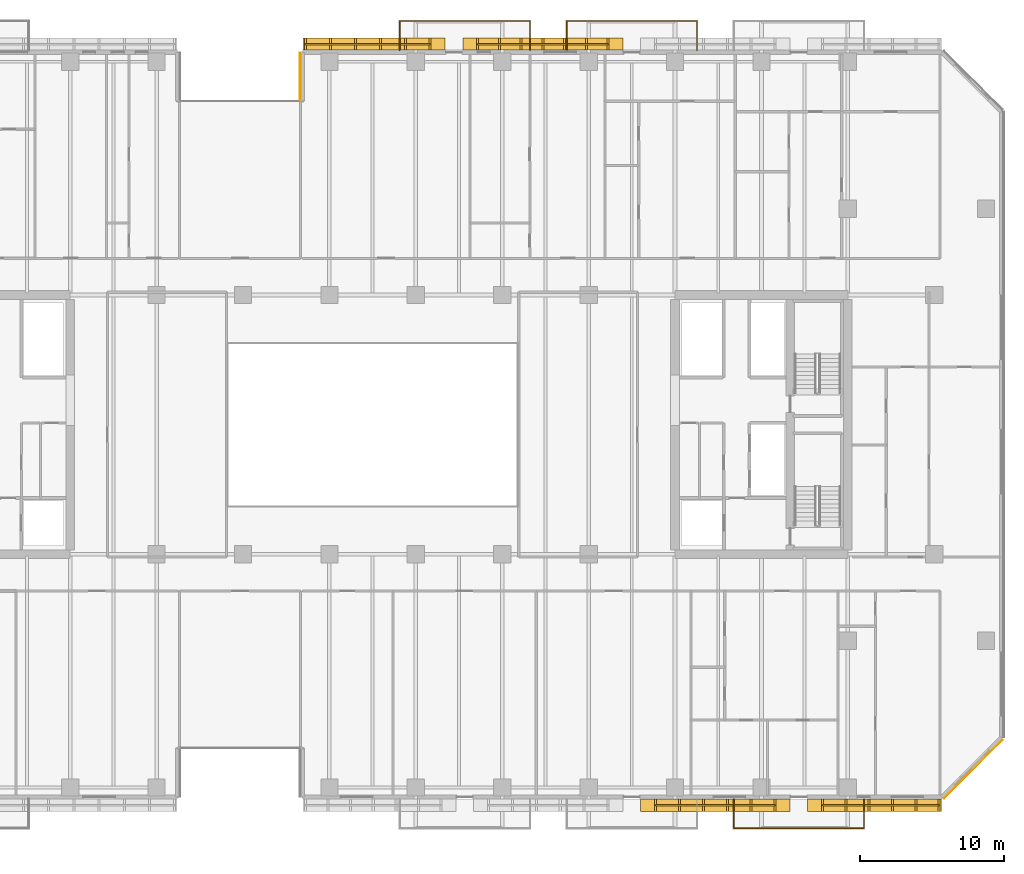
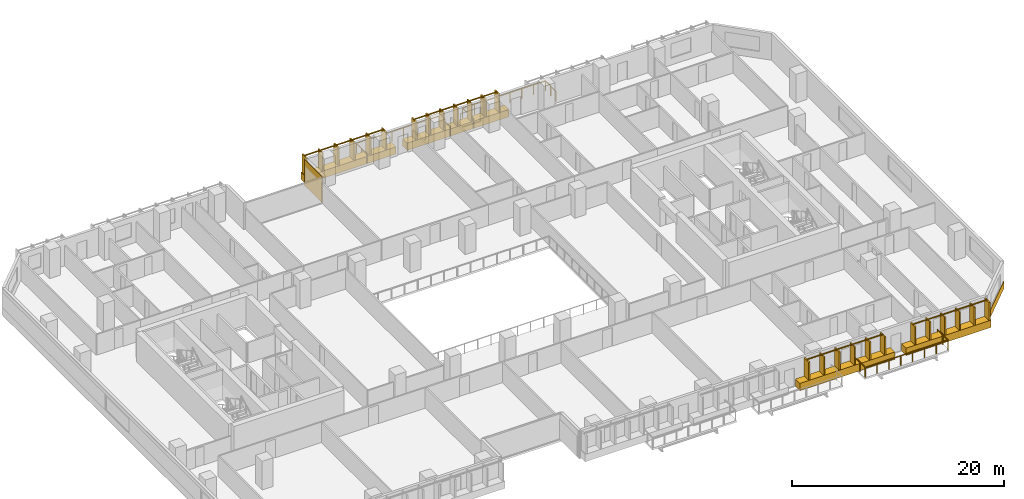
# One storey, part 22 of 25: 7 railings, 6 coverings.
"""IFC4 building model written with IfcOpenShell, lengths in metres."""

from ifc_helpers import new_model, si_unit, direction, frame, origin, origin_2d, place, context, subcontext, project, spatial, rectangle, extrude, material, layer, layer_set, type_object, element, save


model = new_model("IFC4")

# Units and contexts
model_context = context("Model", 3, precision=1e-05, world=origin(), true_north=direction((0.0, 1.0)))
body_context = subcontext(model_context, "Body", "Model", "MODEL_VIEW")
ifc_project = project(units=[si_unit("LENGTHUNIT", "METRE"), si_unit("AREAUNIT", "SQUARE_METRE"), si_unit("VOLUMEUNIT", "CUBIC_METRE"), si_unit("PLANEANGLEUNIT", "RADIAN"), si_unit("MASSUNIT", "GRAM", prefix="KILO")], contexts=[model_context])

# Site, building, storey
site_placement = place(None, origin())
site = spatial("IfcSite", under=ifc_project, at=site_placement, CompositionType="ELEMENT")
building_placement = place(site_placement, origin())
building = spatial("IfcBuilding", under=site, at=building_placement, Name="Tanjung Sevakor Pilgrim Tower", CompositionType="ELEMENT")
storey_placement = place(building_placement, frame((0.0, 0.0, 42.239990234375)))
storey = spatial("IfcBuildingStorey", under=building, at=storey_placement, Name="L11", CompositionType="ELEMENT", Elevation=42.239990234375)

# Coverings
ifc_material_1 = material(Name="Reconstructed Limestone Cladding", Category="masonry")
ifc_layer = layer(ifc_material_1, 0.044921875)
ifc_layer_set = layer_set([ifc_layer], Name="COV-CLAD-LIMESTONE")
covering_type = type_object("IfcCoveringType", Name="COV-CLAD-LIMESTONE", PredefinedType="CLADDING", material=ifc_layer_set)
covering_1_placement = place(storey_placement, frame((80.800048828125, 7.169921875, 0.009765625), z_axis=(0.0, 0.0, 1.0), x_axis=(1.0, 0.0, 0.0)))
element("IfcCovering", 1, at=covering_1_placement, inside=storey, type_object=covering_type, Name="L11 Warm Limestone Sill Spandrel EW-L11-MAIN-5-3", PredefinedType="CLADDING", context=body_context, shape_type="SweptSolid", body=[
    extrude(rectangle(XDim=10.3798828125, YDim=0.860107421875, at=origin_2d()), origin(), (0.0, 0.0, 1.0), 0.840087890625),
])
covering_2_placement = place(storey_placement, frame((91.85595703125, 7.169921875, 0.009765625), z_axis=(0.0, 0.0, 1.0), x_axis=(1.0, 0.0, 0.0)))
element("IfcCovering", 2, at=covering_2_placement, inside=storey, type_object=covering_type, Name="L11 Warm Limestone Sill Spandrel EW-L11-MAIN-5-4", PredefinedType="CLADDING", context=body_context, shape_type="SweptSolid", body=[
    extrude(rectangle(XDim=9.2919921875, YDim=0.860107421875, at=origin_2d()), origin(), (0.0, 0.0, 1.0), 0.840087890625),
])
covering_3_placement = place(storey_placement, frame((98.7158203125, 9.68408203125, 0.009765625), z_axis=(0.0, 0.0, 1.0), x_axis=(0.707106781187, 0.707106781187, 0.0)))
element("IfcCovering", 3, at=covering_3_placement, inside=storey, type_object=covering_type, Name="L11 Warm Limestone Sill Spandrel EW-CHM-L11-MAIN-5-1", PredefinedType="CLADDING", context=body_context, shape_type="SweptSolid", body=[
    extrude(rectangle(XDim=5.74365234375, YDim=0.044921875, at=origin_2d()), origin(), (0.0, 0.0, 1.0), 0.840087890625),
])
covering_4_placement = place(storey_placement, frame((68.824951171875, 60.030029296875, 0.009765625), z_axis=(0.0, 0.0, 1.0), x_axis=(-1.0, 0.0, 0.0)))
element("IfcCovering", 4, at=covering_4_placement, inside=storey, type_object=covering_type, Name="L11 Warm Limestone Sill Spandrel EW-L11-MAIN-9-3", PredefinedType="CLADDING", context=body_context, shape_type="SweptSolid", body=[
    extrude(rectangle(XDim=11.1298828125, YDim=0.860107421875, at=origin_2d()), origin(), (0.0, 0.0, 1.0), 0.840087890625),
])
covering_5_placement = place(storey_placement, frame((57.110107421875, 60.030029296875, 0.009765625), z_axis=(0.0, 0.0, 1.0), x_axis=(-1.0, 0.0, 0.0)))
element("IfcCovering", 5, at=covering_5_placement, inside=storey, type_object=covering_type, Name="L11 Warm Limestone Sill Spandrel EW-L11-MAIN-9-4", PredefinedType="CLADDING", context=body_context, shape_type="SweptSolid", body=[
    extrude(rectangle(XDim=9.860107421875, YDim=0.860107421875, at=origin_2d()), origin(), (0.0, 0.0, 1.0), 0.840087890625),
])
covering_6_placement = place(storey_placement, frame((51.9775390625, 57.760009765625, 0.02001953125), z_axis=(0.0, 0.0, 1.0), x_axis=(0.0, -1.0, 0.0)))
element("IfcCovering", 6, at=covering_6_placement, inside=storey, type_object=covering_type, Name="L11 Warm Limestone Wall Cladding EW-L11-MAIN-10", PredefinedType="CLADDING", context=body_context, shape_type="SweptSolid", body=[
    extrude(rectangle(XDim=3.360107421875, YDim=0.044921875, at=origin_2d()), origin(), (0.0, 0.0, 1.0), 3.0400390625),
])

# Railings
ifc_material_2 = material(Name="Laminated Glass and Aluminium", Category="aluminium")
railing_type_1 = type_object("IfcRailingType", Name="RL-BAL-BALUST", PredefinedType="BALUSTRADE", material=ifc_material_2)
railing_1_placement = place(storey_placement, frame((58.8798828125, 59.60009765625, 0.0)))
element("IfcRailing", 7, at=railing_1_placement, inside=storey, type_object=railing_type_1, Name="L11 Loggia Balustrade MAIN-N2", PredefinedType="BALUSTRADE", context=body_context, shape_type="SweptSolid", body=[
    extrude(rectangle(XDim=0.0479, YDim=0.0479), frame((0.0, 0.0, 1.1259765625), z_axis=(0.0, 1.0, 0.0), x_axis=(-1.0, 0.0, 0.0)), (0.0, 0.0, 1.0), 2.02001953125),
    extrude(rectangle(XDim=0.0479, YDim=0.0479), frame((0.0, 2.02001953125, 1.1259765625), z_axis=(1.0, 0.0, 0.0), x_axis=(0.0, 1.0, 0.0)), (0.0, 0.0, 1.0), 9.0400390625),
    extrude(rectangle(XDim=0.0479, YDim=0.0479), frame((9.0400390625, 2.02001953125, 1.1259765625), z_axis=(0.0, -1.0, 0.0), x_axis=(1.0, 0.0, 0.0)), (0.0, 0.0, 1.0), 2.02001953125),
    extrude(rectangle(XDim=0.042, YDim=0.042), origin(), (0.0, 0.0, 1.0), 1.101806640625),
    extrude(rectangle(XDim=0.042, YDim=0.042), frame((0.0, 1.010009765625, 0.0)), (0.0, 0.0, 1.0), 1.101806640625),
    extrude(rectangle(XDim=0.042, YDim=0.042), frame((0.0, 2.02001953125, 0.0)), (0.0, 0.0, 1.0), 1.101806640625),
    extrude(rectangle(XDim=0.042, YDim=0.042), frame((1.29150390625, 2.02001953125, 0.0)), (0.0, 0.0, 1.0), 1.101806640625),
    extrude(rectangle(XDim=0.042, YDim=0.042), frame((2.582763671875, 2.02001953125, 0.0)), (0.0, 0.0, 1.0), 1.101806640625),
    extrude(rectangle(XDim=0.042, YDim=0.042), frame((3.874267578125, 2.02001953125, 0.0)), (0.0, 0.0, 1.0), 1.101806640625),
    extrude(rectangle(XDim=0.042, YDim=0.042), frame((5.165771484375, 2.02001953125, 0.0)), (0.0, 0.0, 1.0), 1.101806640625),
    extrude(rectangle(XDim=0.042, YDim=0.042), frame((6.457275390625, 2.02001953125, 0.0)), (0.0, 0.0, 1.0), 1.101806640625),
    extrude(rectangle(XDim=0.042, YDim=0.042), frame((7.74853515625, 2.02001953125, 0.0)), (0.0, 0.0, 1.0), 1.101806640625),
    extrude(rectangle(XDim=0.042, YDim=0.042), frame((9.0400390625, 2.02001953125, 0.0)), (0.0, 0.0, 1.0), 1.101806640625),
    extrude(rectangle(XDim=0.042, YDim=0.042), frame((9.0400390625, 1.010009765625, 0.0)), (0.0, 0.0, 1.0), 1.101806640625),
    extrude(rectangle(XDim=0.042, YDim=0.042), frame((9.0400390625, 0.0, 0.0)), (0.0, 0.0, 1.0), 1.101806640625),
])
railing_2_placement = place(storey_placement, frame((70.47998046875, 59.60009765625, 0.0)))
element("IfcRailing", 8, at=railing_2_placement, inside=storey, type_object=railing_type_1, Name="L11 Loggia Balustrade MAIN-N3", PredefinedType="BALUSTRADE", context=body_context, shape_type="SweptSolid", body=[
    extrude(rectangle(XDim=0.0479, YDim=0.0479), frame((0.0, 0.0, 1.1259765625), z_axis=(0.0, 1.0, 0.0), x_axis=(-1.0, 0.0, 0.0)), (0.0, 0.0, 1.0), 2.02001953125),
    extrude(rectangle(XDim=0.0479, YDim=0.0479), frame((0.0, 2.02001953125, 1.1259765625), z_axis=(1.0, 0.0, 0.0), x_axis=(0.0, 1.0, 0.0)), (0.0, 0.0, 1.0), 9.0400390625),
    extrude(rectangle(XDim=0.0479, YDim=0.0479), frame((9.0400390625, 2.02001953125, 1.1259765625), z_axis=(0.0, -1.0, 0.0), x_axis=(1.0, 0.0, 0.0)), (0.0, 0.0, 1.0), 2.02001953125),
    extrude(rectangle(XDim=0.042, YDim=0.042), origin(), (0.0, 0.0, 1.0), 1.101806640625),
    extrude(rectangle(XDim=0.042, YDim=0.042), frame((0.0, 1.010009765625, 0.0)), (0.0, 0.0, 1.0), 1.101806640625),
    extrude(rectangle(XDim=0.042, YDim=0.042), frame((0.0, 2.02001953125, 0.0)), (0.0, 0.0, 1.0), 1.101806640625),
    extrude(rectangle(XDim=0.042, YDim=0.042), frame((1.29150390625, 2.02001953125, 0.0)), (0.0, 0.0, 1.0), 1.101806640625),
    extrude(rectangle(XDim=0.042, YDim=0.042), frame((2.582763671875, 2.02001953125, 0.0)), (0.0, 0.0, 1.0), 1.101806640625),
    extrude(rectangle(XDim=0.042, YDim=0.042), frame((3.874267578125, 2.02001953125, 0.0)), (0.0, 0.0, 1.0), 1.101806640625),
    extrude(rectangle(XDim=0.042, YDim=0.042), frame((5.165771484375, 2.02001953125, 0.0)), (0.0, 0.0, 1.0), 1.101806640625),
    extrude(rectangle(XDim=0.042, YDim=0.042), frame((6.457275390625, 2.02001953125, 0.0)), (0.0, 0.0, 1.0), 1.101806640625),
    extrude(rectangle(XDim=0.042, YDim=0.042), frame((7.74853515625, 2.02001953125, 0.0)), (0.0, 0.0, 1.0), 1.101806640625),
    extrude(rectangle(XDim=0.042, YDim=0.042), frame((9.0400390625, 2.02001953125, 0.0)), (0.0, 0.0, 1.0), 1.101806640625),
    extrude(rectangle(XDim=0.042, YDim=0.042), frame((9.0400390625, 1.010009765625, 0.0)), (0.0, 0.0, 1.0), 1.101806640625),
    extrude(rectangle(XDim=0.042, YDim=0.042), frame((9.0400390625, 0.0, 0.0)), (0.0, 0.0, 1.0), 1.101806640625),
])
railing_3_placement = place(storey_placement, frame((82.080078125, 7.60009765625, 0.0)))
element("IfcRailing", 9, at=railing_3_placement, inside=storey, type_object=railing_type_1, Name="L11 Loggia Balustrade MAIN-S4", PredefinedType="BALUSTRADE", context=body_context, shape_type="SweptSolid", body=[
    extrude(rectangle(XDim=0.0479, YDim=0.0479), frame((0.0, 0.0, 1.1259765625), z_axis=(0.0, -1.0, 0.0), x_axis=(1.0, 0.0, 0.0)), (0.0, 0.0, 1.0), 2.02001953125),
    extrude(rectangle(XDim=0.0479, YDim=0.0479), frame((0.0, -2.02001953125, 1.1259765625), z_axis=(1.0, 0.0, 0.0), x_axis=(0.0, 1.0, 0.0)), (0.0, 0.0, 1.0), 9.0400390625),
    extrude(rectangle(XDim=0.0479, YDim=0.0479), frame((9.0400390625, -2.02001953125, 1.1259765625), z_axis=(0.0, 1.0, 0.0), x_axis=(-1.0, 0.0, 0.0)), (0.0, 0.0, 1.0), 2.02001953125),
    extrude(rectangle(XDim=0.042, YDim=0.042), origin(), (0.0, 0.0, 1.0), 1.101806640625),
    extrude(rectangle(XDim=0.042, YDim=0.042), frame((0.0, -1.010009765625, 0.0)), (0.0, 0.0, 1.0), 1.101806640625),
    extrude(rectangle(XDim=0.042, YDim=0.042), frame((0.0, -2.02001953125, 0.0)), (0.0, 0.0, 1.0), 1.101806640625),
    extrude(rectangle(XDim=0.042, YDim=0.042), frame((1.29150390625, -2.02001953125, 0.0)), (0.0, 0.0, 1.0), 1.101806640625),
    extrude(rectangle(XDim=0.042, YDim=0.042), frame((2.582763671875, -2.02001953125, 0.0)), (0.0, 0.0, 1.0), 1.101806640625),
    extrude(rectangle(XDim=0.042, YDim=0.042), frame((3.874267578125, -2.02001953125, 0.0)), (0.0, 0.0, 1.0), 1.101806640625),
    extrude(rectangle(XDim=0.042, YDim=0.042), frame((5.165771484375, -2.02001953125, 0.0)), (0.0, 0.0, 1.0), 1.101806640625),
    extrude(rectangle(XDim=0.042, YDim=0.042), frame((6.457275390625, -2.02001953125, 0.0)), (0.0, 0.0, 1.0), 1.101806640625),
    extrude(rectangle(XDim=0.042, YDim=0.042), frame((7.74853515625, -2.02001953125, 0.0)), (0.0, 0.0, 1.0), 1.101806640625),
    extrude(rectangle(XDim=0.042, YDim=0.042), frame((9.0400390625, -2.02001953125, 0.0)), (0.0, 0.0, 1.0), 1.101806640625),
    extrude(rectangle(XDim=0.042, YDim=0.042), frame((9.0400390625, -1.010009765625, 0.0)), (0.0, 0.0, 1.0), 1.101806640625),
    extrude(rectangle(XDim=0.042, YDim=0.042), frame((9.0400390625, 0.0, 0.0)), (0.0, 0.0, 1.0), 1.101806640625),
])
ifc_material_3 = material(Name="Anodised Bronze Aluminium 6063-T6", Category="aluminium")
railing_type_2 = type_object("IfcRailingType", Name="RL-FIN-SCREEN", PredefinedType="BALUSTRADE", material=ifc_material_3)
railing_4_placement = place(storey_placement, frame((76.64990234375, 7.175048828125, 0.840087890625)))
element("IfcRailing", 10, at=railing_4_placement, inside=storey, type_object=railing_type_2, Name="L11 Vertical Bronze-Gold Solar Fin Screen FNSCR-EW-L11-MAIN-5-3", PredefinedType="BALUSTRADE", context=body_context, shape_type="SweptSolid", body=[
    extrude(rectangle(XDim=0.105, YDim=0.105), frame((0.0, 0.0, 2.157470703125), z_axis=(1.0, 0.0, 0.0), x_axis=(0.0, 1.0, 0.0)), (0.0, 0.0, 1.0), 8.300048828125),
    extrude(rectangle(XDim=0.14, YDim=0.85), origin(), (0.0, 0.0, 1.0), 2.10498046875),
    extrude(rectangle(XDim=0.14, YDim=0.85), frame((1.659912109375, 0.0, 0.0)), (0.0, 0.0, 1.0), 2.10498046875),
    extrude(rectangle(XDim=0.14, YDim=0.85), frame((3.320068359375, 0.0, 0.0)), (0.0, 0.0, 1.0), 2.10498046875),
    extrude(rectangle(XDim=0.14, YDim=0.85), frame((4.97998046875, 0.0, 0.0)), (0.0, 0.0, 1.0), 2.10498046875),
    extrude(rectangle(XDim=0.14, YDim=0.85), frame((6.64013671875, 0.0, 0.0)), (0.0, 0.0, 1.0), 2.10498046875),
    extrude(rectangle(XDim=0.14, YDim=0.85), frame((8.300048828125, 0.0, 0.0)), (0.0, 0.0, 1.0), 2.10498046875),
])
railing_5_placement = place(storey_placement, frame((88.25, 7.175048828125, 0.840087890625)))
element("IfcRailing", 11, at=railing_5_placement, inside=storey, type_object=railing_type_2, Name="L11 Vertical Bronze-Gold Solar Fin Screen FNSCR-EW-L11-MAIN-5-4", PredefinedType="BALUSTRADE", context=body_context, shape_type="SweptSolid", body=[
    extrude(rectangle(XDim=0.105, YDim=0.105), frame((0.0, 0.0, 2.157470703125), z_axis=(1.0, 0.0, 0.0), x_axis=(0.0, 1.0, 0.0)), (0.0, 0.0, 1.0), 8.092041015625),
    extrude(rectangle(XDim=0.14, YDim=0.85), origin(), (0.0, 0.0, 1.0), 2.10498046875),
    extrude(rectangle(XDim=0.14, YDim=0.85), frame((1.618408203125, 0.0, 0.0)), (0.0, 0.0, 1.0), 2.10498046875),
    extrude(rectangle(XDim=0.14, YDim=0.85), frame((3.23681640625, 0.0, 0.0)), (0.0, 0.0, 1.0), 2.10498046875),
    extrude(rectangle(XDim=0.14, YDim=0.85), frame((4.855224609375, 0.0, 0.0)), (0.0, 0.0, 1.0), 2.10498046875),
    extrude(rectangle(XDim=0.14, YDim=0.85), frame((6.4736328125, 0.0, 0.0)), (0.0, 0.0, 1.0), 2.10498046875),
    extrude(rectangle(XDim=0.14, YDim=0.85), frame((8.092041015625, 0.0, 0.0)), (0.0, 0.0, 1.0), 2.10498046875),
])
railing_6_placement = place(storey_placement, frame((73.35009765625, 60.02490234375, 0.840087890625)))
element("IfcRailing", 12, at=railing_6_placement, inside=storey, type_object=railing_type_2, Name="L11 Vertical Bronze-Gold Solar Fin Screen FNSCR-EW-L11-MAIN-9-3", PredefinedType="BALUSTRADE", context=body_context, shape_type="SweptSolid", body=[
    extrude(rectangle(XDim=0.105, YDim=0.105), frame((0.0, 0.0, 2.157470703125), z_axis=(-1.0, 0.0, 0.0), x_axis=(0.0, -1.0, 0.0)), (0.0, 0.0, 1.0), 9.050048828125),
    extrude(rectangle(XDim=0.14, YDim=0.85), origin(), (0.0, 0.0, 1.0), 2.10498046875),
    extrude(rectangle(XDim=0.14, YDim=0.85), frame((-1.50830078125, 0.0, 0.0)), (0.0, 0.0, 1.0), 2.10498046875),
    extrude(rectangle(XDim=0.14, YDim=0.85), frame((-3.0166015625, 0.0, 0.0)), (0.0, 0.0, 1.0), 2.10498046875),
    extrude(rectangle(XDim=0.14, YDim=0.85), frame((-4.52490234375, 0.0, 0.0)), (0.0, 0.0, 1.0), 2.10498046875),
    extrude(rectangle(XDim=0.14, YDim=0.85), frame((-6.033447265625, 0.0, 0.0)), (0.0, 0.0, 1.0), 2.10498046875),
    extrude(rectangle(XDim=0.14, YDim=0.85), frame((-7.541748046875, 0.0, 0.0)), (0.0, 0.0, 1.0), 2.10498046875),
    extrude(rectangle(XDim=0.14, YDim=0.85), frame((-9.050048828125, 0.0, 0.0)), (0.0, 0.0, 1.0), 2.10498046875),
])
railing_7_placement = place(storey_placement, frame((61.0, 60.02490234375, 0.840087890625)))
element("IfcRailing", 13, at=railing_7_placement, inside=storey, type_object=railing_type_2, Name="L11 Vertical Bronze-Gold Solar Fin Screen FNSCR-EW-L11-MAIN-9-4", PredefinedType="BALUSTRADE", context=body_context, shape_type="SweptSolid", body=[
    extrude(rectangle(XDim=0.105, YDim=0.105), frame((0.0, 0.0, 2.157470703125), z_axis=(-1.0, 0.0, 0.0), x_axis=(0.0, -1.0, 0.0)), (0.0, 0.0, 1.0), 8.659912109375),
    extrude(rectangle(XDim=0.14, YDim=0.85), origin(), (0.0, 0.0, 1.0), 2.10498046875),
    extrude(rectangle(XDim=0.14, YDim=0.85), frame((-1.73193359375, 0.0, 0.0)), (0.0, 0.0, 1.0), 2.10498046875),
    extrude(rectangle(XDim=0.14, YDim=0.85), frame((-3.4638671875, 0.0, 0.0)), (0.0, 0.0, 1.0), 2.10498046875),
    extrude(rectangle(XDim=0.14, YDim=0.85), frame((-5.196044921875, 0.0, 0.0)), (0.0, 0.0, 1.0), 2.10498046875),
    extrude(rectangle(XDim=0.14, YDim=0.85), frame((-6.927978515625, 0.0, 0.0)), (0.0, 0.0, 1.0), 2.10498046875),
    extrude(rectangle(XDim=0.14, YDim=0.85), frame((-8.659912109375, 0.0, 0.0)), (0.0, 0.0, 1.0), 2.10498046875),
])

save(model, "model.ifc")
